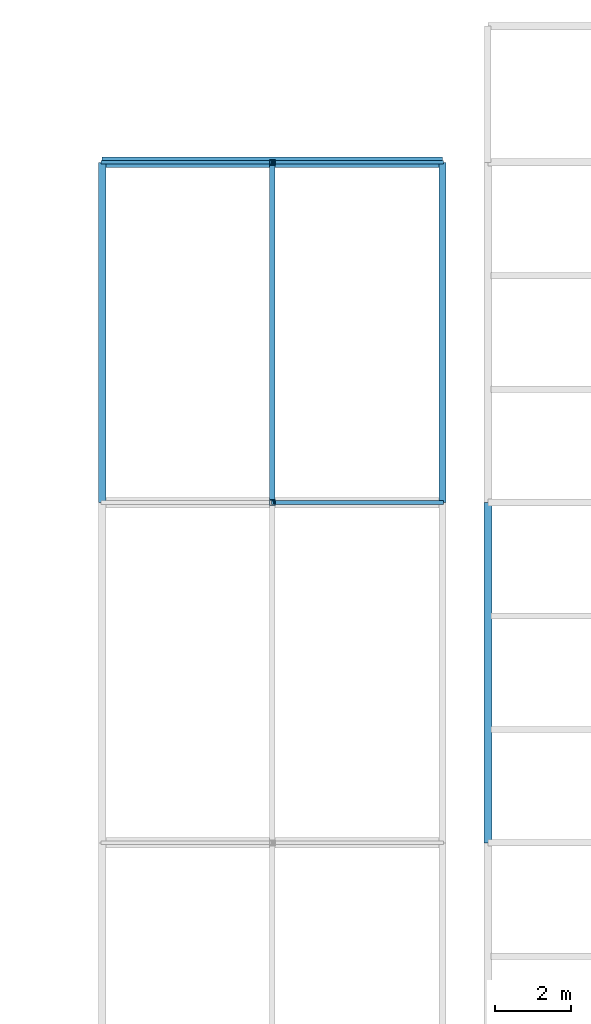
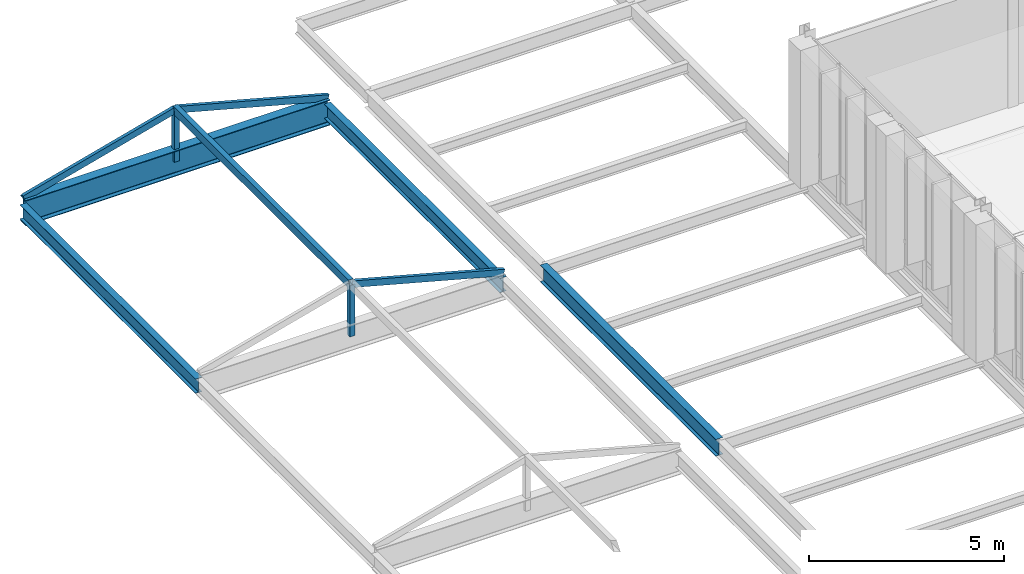
# One storey, part 49 of 140: 5 beams, 5 members.
"""IFC4 building model written with IfcOpenShell, lengths in metres."""

from ifc_helpers import new_model, si_unit, direction, frame, origin, origin_2d, place, context, subcontext, project, spatial, hollow_rectangle, i_section, extrude, material, material_profile, profile_set, type_object, element, save


model = new_model("IFC4")

# Units and contexts
model_context = context("Model", 3, precision=1e-05, world=origin(), true_north=direction((0.0, 1.0)))
body_context = subcontext(model_context, "Body", "Model", "MODEL_VIEW")
ifc_project = project(units=[si_unit("LENGTHUNIT", "METRE"), si_unit("AREAUNIT", "SQUARE_METRE"), si_unit("VOLUMEUNIT", "CUBIC_METRE"), si_unit("PLANEANGLEUNIT", "RADIAN"), si_unit("MASSUNIT", "GRAM", prefix="KILO"), si_unit("THERMODYNAMICTEMPERATUREUNIT", "KELVIN"), si_unit("POWERUNIT", "WATT")], contexts=[model_context])

# Site, building, storey
site_placement = place(None, origin())
site = spatial("IfcSite", under=ifc_project, at=site_placement, CompositionType="ELEMENT")
building_placement = place(site_placement, origin())
building = spatial("IfcBuilding", under=site, at=building_placement, Name="Tallowbark Science Centre", CompositionType="ELEMENT")
storey_placement = place(building_placement, frame((0.0, 0.0, 9.89990234375)))
storey = spatial("IfcBuildingStorey", under=building, at=storey_placement, Name="L02", CompositionType="ELEMENT", Elevation=9.89990234375)

# Beams
ifc_material_1 = material(Name="Structural Steel Grade 300PLUS (300 MPa)", Category="steel")
ifc_material_profile_1 = material_profile(ifc_material_1, i_section(OverallWidth=0.208740234375, OverallDepth=0.5283203125, WebThickness=0.009521484375, FlangeThickness=0.01318359375, FilletRadius=0.013916015625, at=origin_2d()), Name="530UB82.0")
ifc_profile_set_1 = profile_set([ifc_material_profile_1], Name="Structural Steel Grade 300PLUS (300 MPa)")
beam_type_1 = type_object("IfcBeamType", Name="BM-UB530B", PredefinedType="BEAM", material=ifc_profile_set_1)
beam_1_placement = place(storey_placement, frame((55.199951171875, 90.0, -0.444091796875), z_axis=(0.0, 1.0, 0.0), x_axis=(-1.0, 0.0, 0.0)))
element("IfcBeam", 1, at=beam_1_placement, inside=storey, type_object=beam_type_1, Name="Primary Girder GRDY-L02-552-900-990", PredefinedType="BEAM", context=body_context, shape_type="SweptSolid", body=[
    extrude(i_section(OverallWidth=0.208740234375, OverallDepth=0.5283203125, WebThickness=0.009521484375, FlangeThickness=0.01318359375, FilletRadius=0.013916015625, at=origin_2d()), origin(), (0.0, 0.0, 1.0), 9.0),
])
ifc_material_profile_2 = material_profile(ifc_material_1, i_section(OverallWidth=0.27490234375, OverallDepth=0.7919921875, WebThickness=0.011962890625, FlangeThickness=0.02001953125, FilletRadius=0.013916015625, at=origin_2d()), Name="800WB146")
ifc_profile_set_2 = profile_set([ifc_material_profile_2], Name="Structural Steel Grade 300PLUS (300 MPa)")
beam_type_2 = type_object("IfcBeamType", Name="BM-WB800", PredefinedType="BEAM", material=ifc_profile_set_2)
beam_2_placement = place(storey_placement, frame((45.0, 108.0, -0.39990234375), z_axis=(1.0, 0.0, 0.0), x_axis=(0.0, 1.0, 0.0)))
element("IfcBeam", 2, at=beam_2_placement, inside=storey, type_object=beam_type_2, Name="Passage Skylight Tie Beam 13", PredefinedType="BEAM", context=body_context, shape_type="SweptSolid", body=[
    extrude(i_section(OverallWidth=0.27490234375, OverallDepth=0.7919921875, WebThickness=0.011962890625, FlangeThickness=0.02001953125, FilletRadius=0.013916015625, at=origin_2d()), origin(), (0.0, 0.0, 1.0), 9.0),
])

# Members
ifc_material_2 = material(Name="Structural Steel Grade C350L0 (350 MPa)", Category="steel")
ifc_material_profile_3 = material_profile(ifc_material_2, hollow_rectangle(XDim=0.10009765625, YDim=0.199951171875, WallThickness=0.006103515625, at=origin_2d()), Name="200x100x6.0RHS")
ifc_profile_set_3 = profile_set([ifc_material_profile_3], Name="Structural Steel Grade C350L0 (350 MPa)")
member_type_1 = type_object("IfcMemberType", Name="RFT-200RHS", PredefinedType="RAFTER", material=ifc_profile_set_3)
for number, where, z_axis, x_axis, name in (
    (3, (49.5, 99.0, 1.205810546875), (0.965923723713, 0.0, -0.258826891896), (0.0, 1.0, 0.0), "Passage Skylight East Rafter 12"),
    (4, (45.0, 108.0, 0.0), (0.965923723713, 0.0, 0.258826891896), (0.0, 1.0, 0.0), "Passage Skylight West Rafter 13"),
    (5, (49.5, 108.0, 1.205810546875), (0.965923723713, 0.0, -0.258826891896), (0.0, 1.0, 0.0), "Passage Skylight East Rafter 13"),
):
    element("IfcMember", number, at=place(storey_placement, frame(where, z_axis=z_axis, x_axis=x_axis)), inside=storey, type_object=member_type_1, Name=name, PredefinedType="RAFTER", context=body_context, shape_type="SweptSolid", body=[
        extrude(hollow_rectangle(XDim=0.10009765625, YDim=0.199951171875, WallThickness=0.006103515625, at=origin_2d()), origin(), (0.0, 0.0, 1.0), 4.65869140625),
    ])

# Beams
ifc_material_3 = material(Name="White Architectural Painted Steel Grade C350L0 (350 MPa)", Category="steel")
ifc_material_profile_4 = material_profile(ifc_material_3, hollow_rectangle(XDim=0.14990234375, YDim=0.25, WallThickness=0.009033203125, at=origin_2d()), Name="250x150x9.0RHS")
ifc_profile_set_4 = profile_set([ifc_material_profile_4], Name="White Architectural Painted Steel Grade C350L0 (350 MPa)")
beam_type_3 = type_object("IfcBeamType", Name="SPN-RHS250", PredefinedType="SPANDREL", material=ifc_profile_set_4)
beam_3_placement = place(storey_placement, frame((49.5, 99.0, 1.205810546875), z_axis=(0.0, 1.0, 0.0), x_axis=(-1.0, 0.0, 0.0)))
element("IfcBeam", 6, at=beam_3_placement, inside=storey, type_object=beam_type_3, Name="Passage Skylight Ridge Beam 12", PredefinedType="SPANDREL", context=body_context, shape_type="SweptSolid", body=[
    extrude(hollow_rectangle(XDim=0.14990234375, YDim=0.25, WallThickness=0.009033203125, at=origin_2d()), origin(), (0.0, 0.0, 1.0), 9.0),
])
ifc_material_profile_5 = material_profile(ifc_material_1, i_section(OverallWidth=0.18994140625, OverallDepth=0.453857421875, WebThickness=0.008544921875, FlangeThickness=0.0126953125, FilletRadius=0.011474609375, at=origin_2d()), Name="460UB67.1")
ifc_profile_set_5 = profile_set([ifc_material_profile_5], Name="Structural Steel Grade 300PLUS (300 MPa)")
beam_type_4 = type_object("IfcBeamType", Name="SPN-UB460", PredefinedType="SPANDREL", material=ifc_profile_set_5)
for number, where, z_axis, x_axis, name in (
    (7, (45.0, 99.0, -0.40673828125), (0.0, 1.0, 0.0), (-1.0, 0.0, 0.0), "Primary Girder GRDY-L02-450-990-1080"),
    (8, (54.0, 99.0, -0.40673828125), (0.0, 1.0, 0.0), (-1.0, 0.0, 0.0), "Primary Girder GRDY-L02-540-990-1080"),
):
    element("IfcBeam", number, at=place(storey_placement, frame(where, z_axis=z_axis, x_axis=x_axis)), inside=storey, type_object=beam_type_4, Name=name, PredefinedType="SPANDREL", context=body_context, shape_type="SweptSolid", body=[
        extrude(i_section(OverallWidth=0.18994140625, OverallDepth=0.453857421875, WebThickness=0.008544921875, FlangeThickness=0.0126953125, FilletRadius=0.011474609375, at=origin_2d()), origin(), (0.0, 0.0, 1.0), 9.0),
    ])

# Members
ifc_material_profile_6 = material_profile(ifc_material_2, hollow_rectangle(XDim=0.14990234375, YDim=0.14990234375, WallThickness=0.006103515625, at=origin_2d()), Name="150x150x6.0SHS")
ifc_profile_set_6 = profile_set([ifc_material_profile_6], Name="Structural Steel Grade C350L0 (350 MPa)")
member_type_2 = type_object("IfcMemberType", Name="STR-PAS-KP", PredefinedType="POST", material=ifc_profile_set_6)
for number, where, z_axis, x_axis, name in (
    (9, (49.5, 99.0, -0.39990234375), (0.0, 0.0, 1.0), (1.0, 0.0, 0.0), "Passage Skylight Truss King Post 12"),
    (10, (49.5, 108.0, -0.39990234375), (0.0, 0.0, 1.0), (1.0, 0.0, 0.0), "Passage Skylight Truss King Post 13"),
):
    element("IfcMember", number, at=place(storey_placement, frame(where, z_axis=z_axis, x_axis=x_axis)), inside=storey, type_object=member_type_2, Name=name, PredefinedType="POST", context=body_context, shape_type="SweptSolid", body=[
        extrude(hollow_rectangle(XDim=0.14990234375, YDim=0.14990234375, WallThickness=0.006103515625, at=origin_2d()), origin(), (0.0, 0.0, 1.0), 1.605712890625),
    ])

save(model, "model.ifc")
